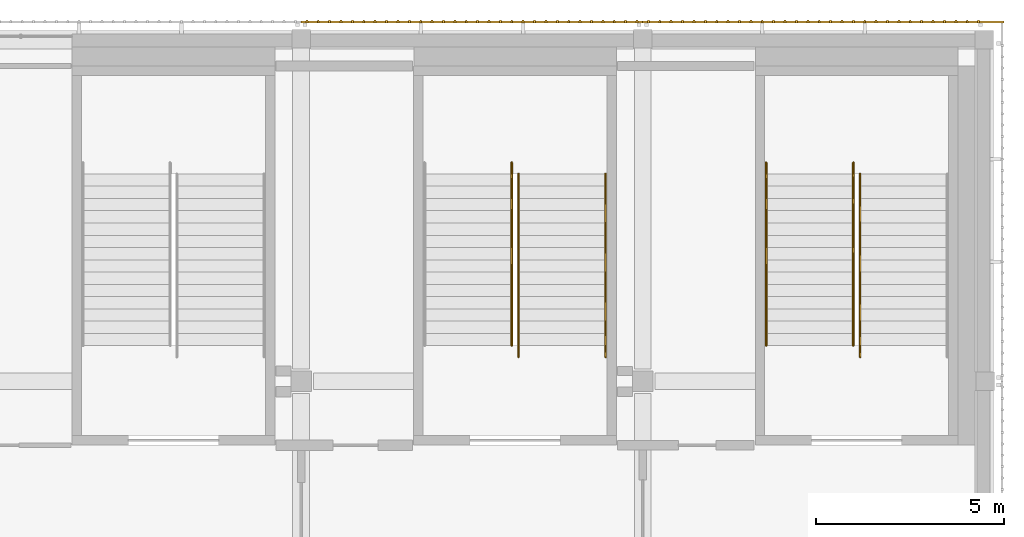
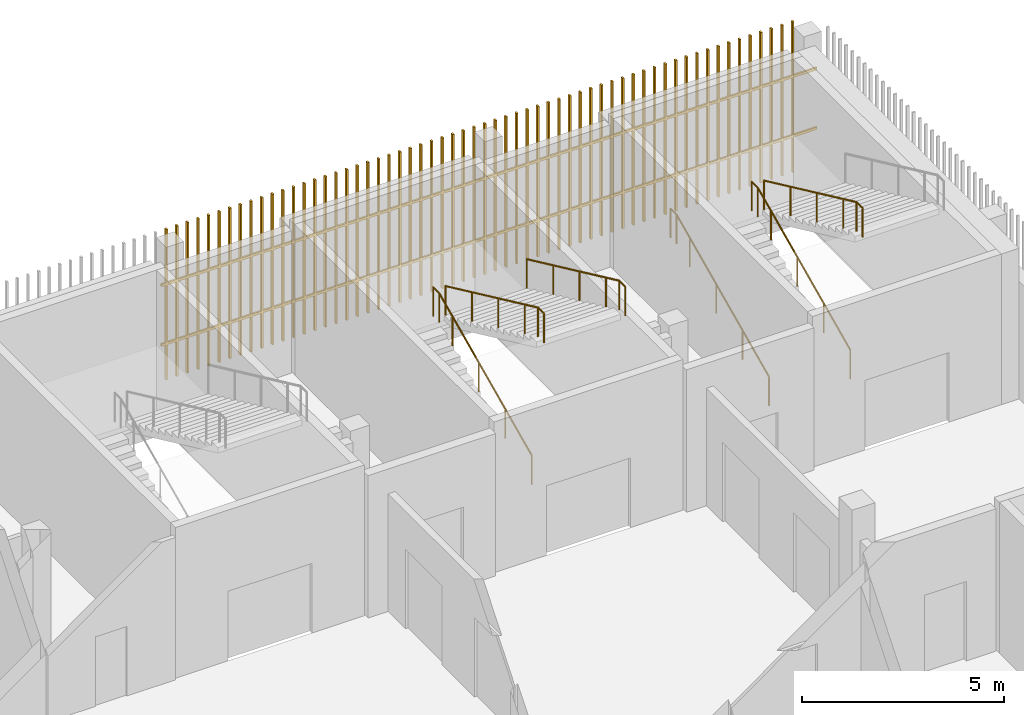
# One storey, part 135 of 139: 6 railings, 2 shading devices.
"""IFC4 building model written with IfcOpenShell, lengths in metres."""

from ifc_helpers import new_model, si_unit, direction, frame, origin, origin_2d, place, context, subcontext, project, spatial, rectangle, circle, extrude, material, type_object, element, save


model = new_model("IFC4")

# Units and contexts
model_context = context("Model", 3, precision=1e-05, world=origin(), true_north=direction((0.0, 1.0)))
body_context = subcontext(model_context, "Body", "Model", "MODEL_VIEW")
ifc_project = project(units=[si_unit("LENGTHUNIT", "METRE"), si_unit("AREAUNIT", "SQUARE_METRE"), si_unit("VOLUMEUNIT", "CUBIC_METRE"), si_unit("PLANEANGLEUNIT", "RADIAN"), si_unit("MASSUNIT", "GRAM", prefix="KILO")], contexts=[model_context])

# Site, building, storey
site_placement = place(None, origin())
site = spatial("IfcSite", under=ifc_project, at=site_placement, CompositionType="ELEMENT")
building_placement = place(site_placement, origin())
building = spatial("IfcBuilding", under=site, at=building_placement, Name="Shirokan Park Arena", CompositionType="ELEMENT")
storey_placement = place(building_placement, frame((0.0, 0.0, 15.469970703125)))
storey = spatial("IfcBuildingStorey", under=building, at=storey_placement, Name="L03", CompositionType="ELEMENT", Elevation=15.469970703125)

# Railings
ifc_material_1 = material(Name="Stainless steel", Category="steel")
railing_type = type_object("IfcRailingType", Name="Stair handrail 900", PredefinedType="HANDRAIL", material=ifc_material_1)
railing_1_placement = place(storey_placement, frame((139.7900390625, 101.050048828125, 0.151611328125)))
element("IfcRailing", 1, at=railing_1_placement, inside=storey, type_object=railing_type, Name="Handrail Exit Stair 3.A L03 to L04", PredefinedType="HANDRAIL", context=body_context, shape_type="SweptSolid", body=[
    extrude(circle(Radius=0.02392578125, at=origin_2d()), frame((0.0, 0.0, 0.8759765625), z_axis=(0.0, 0.906999720516, 0.421131222998), x_axis=(-1.0, 0.0, 0.0)), (0.0, 0.0, 1.0), 1.440673828125),
    extrude(circle(Radius=0.02392578125, at=origin_2d()), frame((0.0, 1.306640625, 1.482421875), z_axis=(0.0, 0.907029769225, 0.421066500378), x_axis=(-1.0, 0.0, 0.0)), (0.0, 0.0, 1.0), 1.44091796875),
    extrude(circle(Radius=0.02392578125, at=origin_2d()), frame((0.0, 2.613525390625, 2.08935546875), z_axis=(0.0, 0.907029769225, 0.421066500378), x_axis=(-1.0, 0.0, 0.0)), (0.0, 0.0, 1.0), 1.44091796875),
    extrude(circle(Radius=0.02392578125, at=origin_2d()), frame((0.0, 3.92041015625, 2.69580078125), z_axis=(0.0, 0.906934982928, 0.421270621741), x_axis=(-1.0, 0.0, 0.0)), (0.0, 0.0, 1.0), 0.720458984375),
    extrude(circle(Radius=0.02392578125, at=origin_2d()), frame((0.0, 4.57373046875, 2.99951171875), z_axis=(0.0, 1.0, 0.0), x_axis=(-1.0, 0.0, 0.0)), (0.0, 0.0, 1.0), 0.300048828125),
    extrude(circle(Radius=0.02099609375, at=origin_2d()), origin(), (0.0, 0.0, 1.0), 0.851806640625),
    extrude(circle(Radius=0.02099609375, at=origin_2d()), frame((0.0, 1.306640625, 0.606689453125)), (0.0, 0.0, 1.0), 0.851806640625),
    extrude(circle(Radius=0.02099609375, at=origin_2d()), frame((0.0, 2.613525390625, 1.21337890625)), (0.0, 0.0, 1.0), 0.851806640625),
    extrude(circle(Radius=0.02099609375, at=origin_2d()), frame((0.0, 3.92041015625, 1.820068359375)), (0.0, 0.0, 1.0), 0.851806640625),
    extrude(circle(Radius=0.02099609375, at=origin_2d()), frame((0.0, 4.57373046875, 2.12353515625)), (0.0, 0.0, 1.0), 0.851806640625),
    extrude(circle(Radius=0.02099609375, at=origin_2d()), frame((0.0, 4.873779296875, 2.12353515625)), (0.0, 0.0, 1.0), 0.851806640625),
])
railing_2_placement = place(storey_placement, frame((142.110107421875, 101.050048828125, 0.151611328125)))
element("IfcRailing", 2, at=railing_2_placement, inside=storey, type_object=railing_type, Name="Handrail Exit Stair 3.A L03 to L04", PredefinedType="HANDRAIL", context=body_context, shape_type="SweptSolid", body=[
    extrude(circle(Radius=0.02392578125, at=origin_2d()), frame((0.0, 0.0, 0.8759765625), z_axis=(0.0, 0.906999720516, 0.421131222998), x_axis=(-1.0, 0.0, 0.0)), (0.0, 0.0, 1.0), 1.440673828125),
    extrude(circle(Radius=0.02392578125, at=origin_2d()), frame((0.0, 1.306640625, 1.482421875), z_axis=(0.0, 0.907029769225, 0.421066500378), x_axis=(-1.0, 0.0, 0.0)), (0.0, 0.0, 1.0), 1.44091796875),
    extrude(circle(Radius=0.02392578125, at=origin_2d()), frame((0.0, 2.613525390625, 2.08935546875), z_axis=(0.0, 0.907029769225, 0.421066500378), x_axis=(-1.0, 0.0, 0.0)), (0.0, 0.0, 1.0), 1.44091796875),
    extrude(circle(Radius=0.02392578125, at=origin_2d()), frame((0.0, 3.92041015625, 2.69580078125), z_axis=(0.0, 0.906934982928, 0.421270621741), x_axis=(-1.0, 0.0, 0.0)), (0.0, 0.0, 1.0), 0.720458984375),
    extrude(circle(Radius=0.02392578125, at=origin_2d()), frame((0.0, 4.57373046875, 2.99951171875), z_axis=(0.0, 1.0, 0.0), x_axis=(-1.0, 0.0, 0.0)), (0.0, 0.0, 1.0), 0.300048828125),
    extrude(circle(Radius=0.02099609375, at=origin_2d()), origin(), (0.0, 0.0, 1.0), 0.851806640625),
    extrude(circle(Radius=0.02099609375, at=origin_2d()), frame((0.0, 1.306640625, 0.606689453125)), (0.0, 0.0, 1.0), 0.851806640625),
    extrude(circle(Radius=0.02099609375, at=origin_2d()), frame((0.0, 2.613525390625, 1.21337890625)), (0.0, 0.0, 1.0), 0.851806640625),
    extrude(circle(Radius=0.02099609375, at=origin_2d()), frame((0.0, 3.92041015625, 1.820068359375)), (0.0, 0.0, 1.0), 0.851806640625),
    extrude(circle(Radius=0.02099609375, at=origin_2d()), frame((0.0, 4.57373046875, 2.12353515625)), (0.0, 0.0, 1.0), 0.851806640625),
    extrude(circle(Radius=0.02099609375, at=origin_2d()), frame((0.0, 4.873779296875, 2.12353515625)), (0.0, 0.0, 1.0), 0.851806640625),
])
railing_3_placement = place(storey_placement, frame((142.2900390625, 105.623779296875, 2.4267578125)))
element("IfcRailing", 3, at=railing_3_placement, inside=storey, type_object=railing_type, Name="Handrail Exit Stair 3.A L03 to L04", PredefinedType="HANDRAIL", context=body_context, shape_type="SweptSolid", body=[
    extrude(circle(Radius=0.02392578125, at=origin_2d()), frame((0.0, 0.0, 0.8759765625), z_axis=(0.0, -0.907029769225, 0.421066500378), x_axis=(1.0, 0.0, 0.0)), (0.0, 0.0, 1.0), 1.44091796875),
    extrude(circle(Radius=0.02392578125, at=origin_2d()), frame((0.0, -1.306884765625, 1.482421875), z_axis=(0.0, -0.906999720516, 0.421131222998), x_axis=(1.0, 0.0, 0.0)), (0.0, 0.0, 1.0), 1.440673828125),
    extrude(circle(Radius=0.02392578125, at=origin_2d()), frame((0.0, -2.613525390625, 2.08935546875), z_axis=(0.0, -0.907094476872, 0.420927083981), x_axis=(1.0, 0.0, 0.0)), (0.0, 0.0, 1.0), 1.440673828125),
    extrude(circle(Radius=0.02392578125, at=origin_2d()), frame((0.0, -3.92041015625, 2.69580078125), z_axis=(0.0, -0.906934982928, 0.421270621741), x_axis=(1.0, 0.0, 0.0)), (0.0, 0.0, 1.0), 0.720458984375),
    extrude(circle(Radius=0.02392578125, at=origin_2d()), frame((0.0, -4.57373046875, 2.9990234375), z_axis=(0.0, -1.0, 0.0), x_axis=(1.0, 0.0, 0.0)), (0.0, 0.0, 1.0), 0.300048828125),
    extrude(circle(Radius=0.02099609375, at=origin_2d()), origin(), (0.0, 0.0, 1.0), 0.851806640625),
    extrude(circle(Radius=0.02099609375, at=origin_2d()), frame((0.0, -1.306884765625, 0.606689453125)), (0.0, 0.0, 1.0), 0.851806640625),
    extrude(circle(Radius=0.02099609375, at=origin_2d()), frame((0.0, -2.613525390625, 1.21337890625)), (0.0, 0.0, 1.0), 0.851806640625),
    extrude(circle(Radius=0.02099609375, at=origin_2d()), frame((0.0, -3.92041015625, 1.81982421875)), (0.0, 0.0, 1.0), 0.851806640625),
    extrude(circle(Radius=0.02099609375, at=origin_2d()), frame((0.0, -4.57373046875, 2.123291015625)), (0.0, 0.0, 1.0), 0.851806640625),
    extrude(circle(Radius=0.02099609375, at=origin_2d()), frame((0.0, -4.873779296875, 2.123291015625)), (0.0, 0.0, 1.0), 0.851806640625),
])
railing_4_placement = place(storey_placement, frame((133.010009765625, 101.050048828125, 0.151611328125)))
element("IfcRailing", 4, at=railing_4_placement, inside=storey, type_object=railing_type, Name="Handrail Exit Stair 3.B L03 to L04", PredefinedType="HANDRAIL", context=body_context, shape_type="SweptSolid", body=[
    extrude(circle(Radius=0.02392578125, at=origin_2d()), frame((0.0, 0.0, 0.8759765625), z_axis=(0.0, 0.906999720516, 0.421131222998), x_axis=(-1.0, 0.0, 0.0)), (0.0, 0.0, 1.0), 1.440673828125),
    extrude(circle(Radius=0.02392578125, at=origin_2d()), frame((0.0, 1.306640625, 1.482421875), z_axis=(0.0, 0.907029769225, 0.421066500378), x_axis=(-1.0, 0.0, 0.0)), (0.0, 0.0, 1.0), 1.44091796875),
    extrude(circle(Radius=0.02392578125, at=origin_2d()), frame((0.0, 2.613525390625, 2.08935546875), z_axis=(0.0, 0.907029769225, 0.421066500378), x_axis=(-1.0, 0.0, 0.0)), (0.0, 0.0, 1.0), 1.44091796875),
    extrude(circle(Radius=0.02392578125, at=origin_2d()), frame((0.0, 3.92041015625, 2.69580078125), z_axis=(0.0, 0.906934982928, 0.421270621741), x_axis=(-1.0, 0.0, 0.0)), (0.0, 0.0, 1.0), 0.720458984375),
    extrude(circle(Radius=0.02392578125, at=origin_2d()), frame((0.0, 4.57373046875, 2.99951171875), z_axis=(0.0, 1.0, 0.0), x_axis=(-1.0, 0.0, 0.0)), (0.0, 0.0, 1.0), 0.300048828125),
    extrude(circle(Radius=0.02099609375, at=origin_2d()), origin(), (0.0, 0.0, 1.0), 0.851806640625),
    extrude(circle(Radius=0.02099609375, at=origin_2d()), frame((0.0, 1.306640625, 0.606689453125)), (0.0, 0.0, 1.0), 0.851806640625),
    extrude(circle(Radius=0.02099609375, at=origin_2d()), frame((0.0, 2.613525390625, 1.21337890625)), (0.0, 0.0, 1.0), 0.851806640625),
    extrude(circle(Radius=0.02099609375, at=origin_2d()), frame((0.0, 3.92041015625, 1.820068359375)), (0.0, 0.0, 1.0), 0.851806640625),
    extrude(circle(Radius=0.02099609375, at=origin_2d()), frame((0.0, 4.57373046875, 2.12353515625)), (0.0, 0.0, 1.0), 0.851806640625),
    extrude(circle(Radius=0.02099609375, at=origin_2d()), frame((0.0, 4.873779296875, 2.12353515625)), (0.0, 0.0, 1.0), 0.851806640625),
])
railing_5_placement = place(storey_placement, frame((133.18994140625, 105.623779296875, 2.4267578125)))
element("IfcRailing", 5, at=railing_5_placement, inside=storey, type_object=railing_type, Name="Handrail Exit Stair 3.B L03 to L04", PredefinedType="HANDRAIL", context=body_context, shape_type="SweptSolid", body=[
    extrude(circle(Radius=0.02392578125, at=origin_2d()), frame((0.0, 0.0, 0.8759765625), z_axis=(0.0, -0.907029769225, 0.421066500378), x_axis=(1.0, 0.0, 0.0)), (0.0, 0.0, 1.0), 1.44091796875),
    extrude(circle(Radius=0.02392578125, at=origin_2d()), frame((0.0, -1.306884765625, 1.482421875), z_axis=(0.0, -0.906999720516, 0.421131222998), x_axis=(1.0, 0.0, 0.0)), (0.0, 0.0, 1.0), 1.440673828125),
    extrude(circle(Radius=0.02392578125, at=origin_2d()), frame((0.0, -2.613525390625, 2.08935546875), z_axis=(0.0, -0.907094476872, 0.420927083981), x_axis=(1.0, 0.0, 0.0)), (0.0, 0.0, 1.0), 1.440673828125),
    extrude(circle(Radius=0.02392578125, at=origin_2d()), frame((0.0, -3.92041015625, 2.69580078125), z_axis=(0.0, -0.906934982928, 0.421270621741), x_axis=(1.0, 0.0, 0.0)), (0.0, 0.0, 1.0), 0.720458984375),
    extrude(circle(Radius=0.02392578125, at=origin_2d()), frame((0.0, -4.57373046875, 2.9990234375), z_axis=(0.0, -1.0, 0.0), x_axis=(1.0, 0.0, 0.0)), (0.0, 0.0, 1.0), 0.300048828125),
    extrude(circle(Radius=0.02099609375, at=origin_2d()), origin(), (0.0, 0.0, 1.0), 0.851806640625),
    extrude(circle(Radius=0.02099609375, at=origin_2d()), frame((0.0, -1.306884765625, 0.606689453125)), (0.0, 0.0, 1.0), 0.851806640625),
    extrude(circle(Radius=0.02099609375, at=origin_2d()), frame((0.0, -2.613525390625, 1.21337890625)), (0.0, 0.0, 1.0), 0.851806640625),
    extrude(circle(Radius=0.02099609375, at=origin_2d()), frame((0.0, -3.92041015625, 1.81982421875)), (0.0, 0.0, 1.0), 0.851806640625),
    extrude(circle(Radius=0.02099609375, at=origin_2d()), frame((0.0, -4.57373046875, 2.123291015625)), (0.0, 0.0, 1.0), 0.851806640625),
    extrude(circle(Radius=0.02099609375, at=origin_2d()), frame((0.0, -4.873779296875, 2.123291015625)), (0.0, 0.0, 1.0), 0.851806640625),
])
railing_6_placement = place(storey_placement, frame((135.510009765625, 105.623779296875, 2.4267578125)))
element("IfcRailing", 6, at=railing_6_placement, inside=storey, type_object=railing_type, Name="Handrail Exit Stair 3.B L03 to L04", PredefinedType="HANDRAIL", context=body_context, shape_type="SweptSolid", body=[
    extrude(circle(Radius=0.02392578125, at=origin_2d()), frame((0.0, 0.0, 0.8759765625), z_axis=(0.0, -0.907029769225, 0.421066500378), x_axis=(1.0, 0.0, 0.0)), (0.0, 0.0, 1.0), 1.44091796875),
    extrude(circle(Radius=0.02392578125, at=origin_2d()), frame((0.0, -1.306884765625, 1.482421875), z_axis=(0.0, -0.906999720516, 0.421131222998), x_axis=(1.0, 0.0, 0.0)), (0.0, 0.0, 1.0), 1.440673828125),
    extrude(circle(Radius=0.02392578125, at=origin_2d()), frame((0.0, -2.613525390625, 2.08935546875), z_axis=(0.0, -0.907094476872, 0.420927083981), x_axis=(1.0, 0.0, 0.0)), (0.0, 0.0, 1.0), 1.440673828125),
    extrude(circle(Radius=0.02392578125, at=origin_2d()), frame((0.0, -3.92041015625, 2.69580078125), z_axis=(0.0, -0.906934982928, 0.421270621741), x_axis=(1.0, 0.0, 0.0)), (0.0, 0.0, 1.0), 0.720458984375),
    extrude(circle(Radius=0.02392578125, at=origin_2d()), frame((0.0, -4.57373046875, 2.9990234375), z_axis=(0.0, -1.0, 0.0), x_axis=(1.0, 0.0, 0.0)), (0.0, 0.0, 1.0), 0.300048828125),
    extrude(circle(Radius=0.02099609375, at=origin_2d()), origin(), (0.0, 0.0, 1.0), 0.851806640625),
    extrude(circle(Radius=0.02099609375, at=origin_2d()), frame((0.0, -1.306884765625, 0.606689453125)), (0.0, 0.0, 1.0), 0.851806640625),
    extrude(circle(Radius=0.02099609375, at=origin_2d()), frame((0.0, -2.613525390625, 1.21337890625)), (0.0, 0.0, 1.0), 0.851806640625),
    extrude(circle(Radius=0.02099609375, at=origin_2d()), frame((0.0, -3.92041015625, 1.81982421875)), (0.0, 0.0, 1.0), 0.851806640625),
    extrude(circle(Radius=0.02099609375, at=origin_2d()), frame((0.0, -4.57373046875, 2.123291015625)), (0.0, 0.0, 1.0), 0.851806640625),
    extrude(circle(Radius=0.02099609375, at=origin_2d()), frame((0.0, -4.873779296875, 2.123291015625)), (0.0, 0.0, 1.0), 0.851806640625),
])

# Shading devices
ifc_material_2 = material(Name="Timber louvre veil (cedar)", Category="wood")
shading_device_type = type_object("IfcShadingDeviceType", Name="Timber louvre veil panel", PredefinedType="JALOUSIE", material=ifc_material_2)
shading_device_1_placement = place(storey_placement, origin())
element("IfcShadingDevice", 7, at=shading_device_1_placement, inside=storey, type_object=shading_device_type, Name="Timber louvre veil north bay 1 L03", PredefinedType="JALOUSIE", context=body_context, shape_type="SweptSolid", body=[
    extrude(rectangle(XDim=0.050048828125, YDim=0.080078125, at=origin_2d()), frame((145.4482421875, 109.68505859375, 0.0), z_axis=(0.0, 0.0, 1.0), x_axis=(-1.0, 0.0, 0.0)), (0.0, 0.0, 1.0), 4.550048828125),
    extrude(rectangle(XDim=0.050048828125, YDim=0.080078125, at=origin_2d()), frame((145.14501953125, 109.68505859375, 0.0), z_axis=(0.0, 0.0, 1.0), x_axis=(-1.0, 0.0, 0.0)), (0.0, 0.0, 1.0), 4.550048828125),
    extrude(rectangle(XDim=0.050048828125, YDim=0.080078125, at=origin_2d()), frame((144.841552734375, 109.68505859375, 0.0), z_axis=(0.0, 0.0, 1.0), x_axis=(-1.0, 0.0, 0.0)), (0.0, 0.0, 1.0), 4.550048828125),
    extrude(rectangle(XDim=0.050048828125, YDim=0.080078125, at=origin_2d()), frame((144.538330078125, 109.68505859375, 0.0), z_axis=(0.0, 0.0, 1.0), x_axis=(-1.0, 0.0, 0.0)), (0.0, 0.0, 1.0), 4.550048828125),
    extrude(rectangle(XDim=0.050048828125, YDim=0.080078125, at=origin_2d()), frame((144.235107421875, 109.68505859375, 0.0), z_axis=(0.0, 0.0, 1.0), x_axis=(-1.0, 0.0, 0.0)), (0.0, 0.0, 1.0), 4.550048828125),
    extrude(rectangle(XDim=0.050048828125, YDim=0.080078125, at=origin_2d()), frame((143.931640625, 109.68505859375, 0.0), z_axis=(0.0, 0.0, 1.0), x_axis=(-1.0, 0.0, 0.0)), (0.0, 0.0, 1.0), 4.550048828125),
    extrude(rectangle(XDim=0.050048828125, YDim=0.080078125, at=origin_2d()), frame((143.62841796875, 109.68505859375, 0.0), z_axis=(0.0, 0.0, 1.0), x_axis=(-1.0, 0.0, 0.0)), (0.0, 0.0, 1.0), 4.550048828125),
    extrude(rectangle(XDim=0.050048828125, YDim=0.080078125, at=origin_2d()), frame((143.324951171875, 109.68505859375, 0.0), z_axis=(0.0, 0.0, 1.0), x_axis=(-1.0, 0.0, 0.0)), (0.0, 0.0, 1.0), 4.550048828125),
    extrude(rectangle(XDim=0.050048828125, YDim=0.080078125, at=origin_2d()), frame((143.021728515625, 109.68505859375, 0.0), z_axis=(0.0, 0.0, 1.0), x_axis=(-1.0, 0.0, 0.0)), (0.0, 0.0, 1.0), 4.550048828125),
    extrude(rectangle(XDim=0.050048828125, YDim=0.080078125, at=origin_2d()), frame((142.71826171875, 109.68505859375, 0.0), z_axis=(0.0, 0.0, 1.0), x_axis=(-1.0, 0.0, 0.0)), (0.0, 0.0, 1.0), 4.550048828125),
    extrude(rectangle(XDim=0.050048828125, YDim=0.080078125, at=origin_2d()), frame((142.4150390625, 109.68505859375, 0.0), z_axis=(0.0, 0.0, 1.0), x_axis=(-1.0, 0.0, 0.0)), (0.0, 0.0, 1.0), 4.550048828125),
    extrude(rectangle(XDim=0.050048828125, YDim=0.080078125, at=origin_2d()), frame((142.111572265625, 109.68505859375, 0.0), z_axis=(0.0, 0.0, 1.0), x_axis=(-1.0, 0.0, 0.0)), (0.0, 0.0, 1.0), 4.550048828125),
    extrude(rectangle(XDim=0.050048828125, YDim=0.080078125, at=origin_2d()), frame((141.808349609375, 109.68505859375, 0.0), z_axis=(0.0, 0.0, 1.0), x_axis=(-1.0, 0.0, 0.0)), (0.0, 0.0, 1.0), 4.550048828125),
    extrude(rectangle(XDim=0.050048828125, YDim=0.080078125, at=origin_2d()), frame((141.5048828125, 109.68505859375, 0.0), z_axis=(0.0, 0.0, 1.0), x_axis=(-1.0, 0.0, 0.0)), (0.0, 0.0, 1.0), 4.550048828125),
    extrude(rectangle(XDim=0.050048828125, YDim=0.080078125, at=origin_2d()), frame((141.20166015625, 109.68505859375, 0.0), z_axis=(0.0, 0.0, 1.0), x_axis=(-1.0, 0.0, 0.0)), (0.0, 0.0, 1.0), 4.550048828125),
    extrude(rectangle(XDim=0.050048828125, YDim=0.080078125, at=origin_2d()), frame((140.8984375, 109.68505859375, 0.0), z_axis=(0.0, 0.0, 1.0), x_axis=(-1.0, 0.0, 0.0)), (0.0, 0.0, 1.0), 4.550048828125),
    extrude(rectangle(XDim=0.050048828125, YDim=0.080078125, at=origin_2d()), frame((140.594970703125, 109.68505859375, 0.0), z_axis=(0.0, 0.0, 1.0), x_axis=(-1.0, 0.0, 0.0)), (0.0, 0.0, 1.0), 4.550048828125),
    extrude(rectangle(XDim=0.050048828125, YDim=0.080078125, at=origin_2d()), frame((140.291748046875, 109.68505859375, 0.0), z_axis=(0.0, 0.0, 1.0), x_axis=(-1.0, 0.0, 0.0)), (0.0, 0.0, 1.0), 4.550048828125),
    extrude(rectangle(XDim=0.050048828125, YDim=0.080078125, at=origin_2d()), frame((139.98828125, 109.68505859375, 0.0), z_axis=(0.0, 0.0, 1.0), x_axis=(-1.0, 0.0, 0.0)), (0.0, 0.0, 1.0), 4.550048828125),
    extrude(rectangle(XDim=0.050048828125, YDim=0.080078125, at=origin_2d()), frame((139.68505859375, 109.68505859375, 0.0), z_axis=(0.0, 0.0, 1.0), x_axis=(-1.0, 0.0, 0.0)), (0.0, 0.0, 1.0), 4.550048828125),
    extrude(rectangle(XDim=0.050048828125, YDim=0.080078125, at=origin_2d()), frame((139.381591796875, 109.68505859375, 0.0), z_axis=(0.0, 0.0, 1.0), x_axis=(-1.0, 0.0, 0.0)), (0.0, 0.0, 1.0), 4.550048828125),
    extrude(rectangle(XDim=0.050048828125, YDim=0.080078125, at=origin_2d()), frame((139.078369140625, 109.68505859375, 0.0), z_axis=(0.0, 0.0, 1.0), x_axis=(-1.0, 0.0, 0.0)), (0.0, 0.0, 1.0), 4.550048828125),
    extrude(rectangle(XDim=0.050048828125, YDim=0.080078125, at=origin_2d()), frame((138.77490234375, 109.68505859375, 0.0), z_axis=(0.0, 0.0, 1.0), x_axis=(-1.0, 0.0, 0.0)), (0.0, 0.0, 1.0), 4.550048828125),
    extrude(rectangle(XDim=0.050048828125, YDim=0.080078125, at=origin_2d()), frame((138.4716796875, 109.68505859375, 0.0), z_axis=(0.0, 0.0, 1.0), x_axis=(-1.0, 0.0, 0.0)), (0.0, 0.0, 1.0), 4.550048828125),
    extrude(rectangle(XDim=0.050048828125, YDim=0.080078125, at=origin_2d()), frame((138.168212890625, 109.68505859375, 0.0), z_axis=(0.0, 0.0, 1.0), x_axis=(-1.0, 0.0, 0.0)), (0.0, 0.0, 1.0), 4.550048828125),
    extrude(rectangle(XDim=0.050048828125, YDim=0.080078125, at=origin_2d()), frame((137.864990234375, 109.68505859375, 0.0), z_axis=(0.0, 0.0, 1.0), x_axis=(-1.0, 0.0, 0.0)), (0.0, 0.0, 1.0), 4.550048828125),
    extrude(rectangle(XDim=0.050048828125, YDim=0.080078125, at=origin_2d()), frame((137.561767578125, 109.68505859375, 0.0), z_axis=(0.0, 0.0, 1.0), x_axis=(-1.0, 0.0, 0.0)), (0.0, 0.0, 1.0), 4.550048828125),
    extrude(rectangle(XDim=0.050048828125, YDim=0.080078125, at=origin_2d()), frame((137.25830078125, 109.68505859375, 0.0), z_axis=(0.0, 0.0, 1.0), x_axis=(-1.0, 0.0, 0.0)), (0.0, 0.0, 1.0), 4.550048828125),
    extrude(rectangle(XDim=0.050048828125, YDim=0.080078125, at=origin_2d()), frame((136.955078125, 109.68505859375, 0.0), z_axis=(0.0, 0.0, 1.0), x_axis=(-1.0, 0.0, 0.0)), (0.0, 0.0, 1.0), 4.550048828125),
    extrude(rectangle(XDim=0.050048828125, YDim=0.080078125, at=origin_2d()), frame((136.651611328125, 109.68505859375, 0.0), z_axis=(0.0, 0.0, 1.0), x_axis=(-1.0, 0.0, 0.0)), (0.0, 0.0, 1.0), 4.550048828125),
    extrude(rectangle(XDim=9.625, YDim=0.050048828125, at=origin_2d()), frame((141.3125, 109.669921875, 1.06005859375), z_axis=(0.0, 0.0, 1.0), x_axis=(-1.0, 0.0, 0.0)), (0.0, 0.0, 1.0), 0.080078125),
    extrude(rectangle(XDim=9.625, YDim=0.050048828125, at=origin_2d()), frame((141.3125, 109.669921875, 2.860107421875), z_axis=(0.0, 0.0, 1.0), x_axis=(-1.0, 0.0, 0.0)), (0.0, 0.0, 1.0), 0.080078125),
])
shading_device_2_placement = place(storey_placement, origin())
element("IfcShadingDevice", 8, at=shading_device_2_placement, inside=storey, type_object=shading_device_type, Name="Timber louvre veil north bay 2 L03", PredefinedType="JALOUSIE", context=body_context, shape_type="SweptSolid", body=[
    extrude(rectangle(XDim=0.050048828125, YDim=0.080078125, at=origin_2d()), frame((136.348388671875, 109.68505859375, 0.0), z_axis=(0.0, 0.0, 1.0), x_axis=(-1.0, 0.0, 0.0)), (0.0, 0.0, 1.0), 4.550048828125),
    extrude(rectangle(XDim=0.050048828125, YDim=0.080078125, at=origin_2d()), frame((136.044921875, 109.68505859375, 0.0), z_axis=(0.0, 0.0, 1.0), x_axis=(-1.0, 0.0, 0.0)), (0.0, 0.0, 1.0), 4.550048828125),
    extrude(rectangle(XDim=0.050048828125, YDim=0.080078125, at=origin_2d()), frame((135.74169921875, 109.68505859375, 0.0), z_axis=(0.0, 0.0, 1.0), x_axis=(-1.0, 0.0, 0.0)), (0.0, 0.0, 1.0), 4.550048828125),
    extrude(rectangle(XDim=0.050048828125, YDim=0.080078125, at=origin_2d()), frame((135.438232421875, 109.68505859375, 0.0), z_axis=(0.0, 0.0, 1.0), x_axis=(-1.0, 0.0, 0.0)), (0.0, 0.0, 1.0), 4.550048828125),
    extrude(rectangle(XDim=0.050048828125, YDim=0.080078125, at=origin_2d()), frame((135.135009765625, 109.68505859375, 0.0), z_axis=(0.0, 0.0, 1.0), x_axis=(-1.0, 0.0, 0.0)), (0.0, 0.0, 1.0), 4.550048828125),
    extrude(rectangle(XDim=0.050048828125, YDim=0.080078125, at=origin_2d()), frame((134.831787109375, 109.68505859375, 0.0), z_axis=(0.0, 0.0, 1.0), x_axis=(-1.0, 0.0, 0.0)), (0.0, 0.0, 1.0), 4.550048828125),
    extrude(rectangle(XDim=0.050048828125, YDim=0.080078125, at=origin_2d()), frame((134.5283203125, 109.68505859375, 0.0), z_axis=(0.0, 0.0, 1.0), x_axis=(-1.0, 0.0, 0.0)), (0.0, 0.0, 1.0), 4.550048828125),
    extrude(rectangle(XDim=0.050048828125, YDim=0.080078125, at=origin_2d()), frame((134.22509765625, 109.68505859375, 0.0), z_axis=(0.0, 0.0, 1.0), x_axis=(-1.0, 0.0, 0.0)), (0.0, 0.0, 1.0), 4.550048828125),
    extrude(rectangle(XDim=0.050048828125, YDim=0.080078125, at=origin_2d()), frame((133.921630859375, 109.68505859375, 0.0), z_axis=(0.0, 0.0, 1.0), x_axis=(-1.0, 0.0, 0.0)), (0.0, 0.0, 1.0), 4.550048828125),
    extrude(rectangle(XDim=0.050048828125, YDim=0.080078125, at=origin_2d()), frame((133.618408203125, 109.68505859375, 0.0), z_axis=(0.0, 0.0, 1.0), x_axis=(-1.0, 0.0, 0.0)), (0.0, 0.0, 1.0), 4.550048828125),
    extrude(rectangle(XDim=0.050048828125, YDim=0.080078125, at=origin_2d()), frame((133.31494140625, 109.68505859375, 0.0), z_axis=(0.0, 0.0, 1.0), x_axis=(-1.0, 0.0, 0.0)), (0.0, 0.0, 1.0), 4.550048828125),
    extrude(rectangle(XDim=0.050048828125, YDim=0.080078125, at=origin_2d()), frame((133.01171875, 109.68505859375, 0.0), z_axis=(0.0, 0.0, 1.0), x_axis=(-1.0, 0.0, 0.0)), (0.0, 0.0, 1.0), 4.550048828125),
    extrude(rectangle(XDim=0.050048828125, YDim=0.080078125, at=origin_2d()), frame((132.708251953125, 109.68505859375, 0.0), z_axis=(0.0, 0.0, 1.0), x_axis=(-1.0, 0.0, 0.0)), (0.0, 0.0, 1.0), 4.550048828125),
    extrude(rectangle(XDim=0.050048828125, YDim=0.080078125, at=origin_2d()), frame((132.405029296875, 109.68505859375, 0.0), z_axis=(0.0, 0.0, 1.0), x_axis=(-1.0, 0.0, 0.0)), (0.0, 0.0, 1.0), 4.550048828125),
    extrude(rectangle(XDim=0.050048828125, YDim=0.080078125, at=origin_2d()), frame((132.1015625, 109.68505859375, 0.0), z_axis=(0.0, 0.0, 1.0), x_axis=(-1.0, 0.0, 0.0)), (0.0, 0.0, 1.0), 4.550048828125),
    extrude(rectangle(XDim=0.050048828125, YDim=0.080078125, at=origin_2d()), frame((131.79833984375, 109.68505859375, 0.0), z_axis=(0.0, 0.0, 1.0), x_axis=(-1.0, 0.0, 0.0)), (0.0, 0.0, 1.0), 4.550048828125),
    extrude(rectangle(XDim=0.050048828125, YDim=0.080078125, at=origin_2d()), frame((131.4951171875, 109.68505859375, 0.0), z_axis=(0.0, 0.0, 1.0), x_axis=(-1.0, 0.0, 0.0)), (0.0, 0.0, 1.0), 4.550048828125),
    extrude(rectangle(XDim=0.050048828125, YDim=0.080078125, at=origin_2d()), frame((131.191650390625, 109.68505859375, 0.0), z_axis=(0.0, 0.0, 1.0), x_axis=(-1.0, 0.0, 0.0)), (0.0, 0.0, 1.0), 4.550048828125),
    extrude(rectangle(XDim=0.050048828125, YDim=0.080078125, at=origin_2d()), frame((130.888427734375, 109.68505859375, 0.0), z_axis=(0.0, 0.0, 1.0), x_axis=(-1.0, 0.0, 0.0)), (0.0, 0.0, 1.0), 4.550048828125),
    extrude(rectangle(XDim=0.050048828125, YDim=0.080078125, at=origin_2d()), frame((130.5849609375, 109.68505859375, 0.0), z_axis=(0.0, 0.0, 1.0), x_axis=(-1.0, 0.0, 0.0)), (0.0, 0.0, 1.0), 4.550048828125),
    extrude(rectangle(XDim=0.050048828125, YDim=0.080078125, at=origin_2d()), frame((130.28173828125, 109.68505859375, 0.0), z_axis=(0.0, 0.0, 1.0), x_axis=(-1.0, 0.0, 0.0)), (0.0, 0.0, 1.0), 4.550048828125),
    extrude(rectangle(XDim=0.050048828125, YDim=0.080078125, at=origin_2d()), frame((129.978271484375, 109.68505859375, 0.0), z_axis=(0.0, 0.0, 1.0), x_axis=(-1.0, 0.0, 0.0)), (0.0, 0.0, 1.0), 4.550048828125),
    extrude(rectangle(XDim=0.050048828125, YDim=0.080078125, at=origin_2d()), frame((129.675048828125, 109.68505859375, 0.0), z_axis=(0.0, 0.0, 1.0), x_axis=(-1.0, 0.0, 0.0)), (0.0, 0.0, 1.0), 4.550048828125),
    extrude(rectangle(XDim=0.050048828125, YDim=0.080078125, at=origin_2d()), frame((129.37158203125, 109.68505859375, 0.0), z_axis=(0.0, 0.0, 1.0), x_axis=(-1.0, 0.0, 0.0)), (0.0, 0.0, 1.0), 4.550048828125),
    extrude(rectangle(XDim=0.050048828125, YDim=0.080078125, at=origin_2d()), frame((129.068359375, 109.68505859375, 0.0), z_axis=(0.0, 0.0, 1.0), x_axis=(-1.0, 0.0, 0.0)), (0.0, 0.0, 1.0), 4.550048828125),
    extrude(rectangle(XDim=0.050048828125, YDim=0.080078125, at=origin_2d()), frame((128.764892578125, 109.68505859375, 0.0), z_axis=(0.0, 0.0, 1.0), x_axis=(-1.0, 0.0, 0.0)), (0.0, 0.0, 1.0), 4.550048828125),
    extrude(rectangle(XDim=0.050048828125, YDim=0.080078125, at=origin_2d()), frame((128.461669921875, 109.68505859375, 0.0), z_axis=(0.0, 0.0, 1.0), x_axis=(-1.0, 0.0, 0.0)), (0.0, 0.0, 1.0), 4.550048828125),
    extrude(rectangle(XDim=0.050048828125, YDim=0.080078125, at=origin_2d()), frame((128.158447265625, 109.68505859375, 0.0), z_axis=(0.0, 0.0, 1.0), x_axis=(-1.0, 0.0, 0.0)), (0.0, 0.0, 1.0), 4.550048828125),
    extrude(rectangle(XDim=0.050048828125, YDim=0.080078125, at=origin_2d()), frame((127.85498046875, 109.68505859375, 0.0), z_axis=(0.0, 0.0, 1.0), x_axis=(-1.0, 0.0, 0.0)), (0.0, 0.0, 1.0), 4.550048828125),
    extrude(rectangle(XDim=0.050048828125, YDim=0.080078125, at=origin_2d()), frame((127.5517578125, 109.68505859375, 0.0), z_axis=(0.0, 0.0, 1.0), x_axis=(-1.0, 0.0, 0.0)), (0.0, 0.0, 1.0), 4.550048828125),
    extrude(rectangle(XDim=9.10009765625, YDim=0.050048828125, at=origin_2d()), frame((131.949951171875, 109.669921875, 1.06005859375), z_axis=(0.0, 0.0, 1.0), x_axis=(-1.0, 0.0, 0.0)), (0.0, 0.0, 1.0), 0.080078125),
    extrude(rectangle(XDim=9.10009765625, YDim=0.050048828125, at=origin_2d()), frame((131.949951171875, 109.669921875, 2.860107421875), z_axis=(0.0, 0.0, 1.0), x_axis=(-1.0, 0.0, 0.0)), (0.0, 0.0, 1.0), 0.080078125),
])

save(model, "model.ifc")
